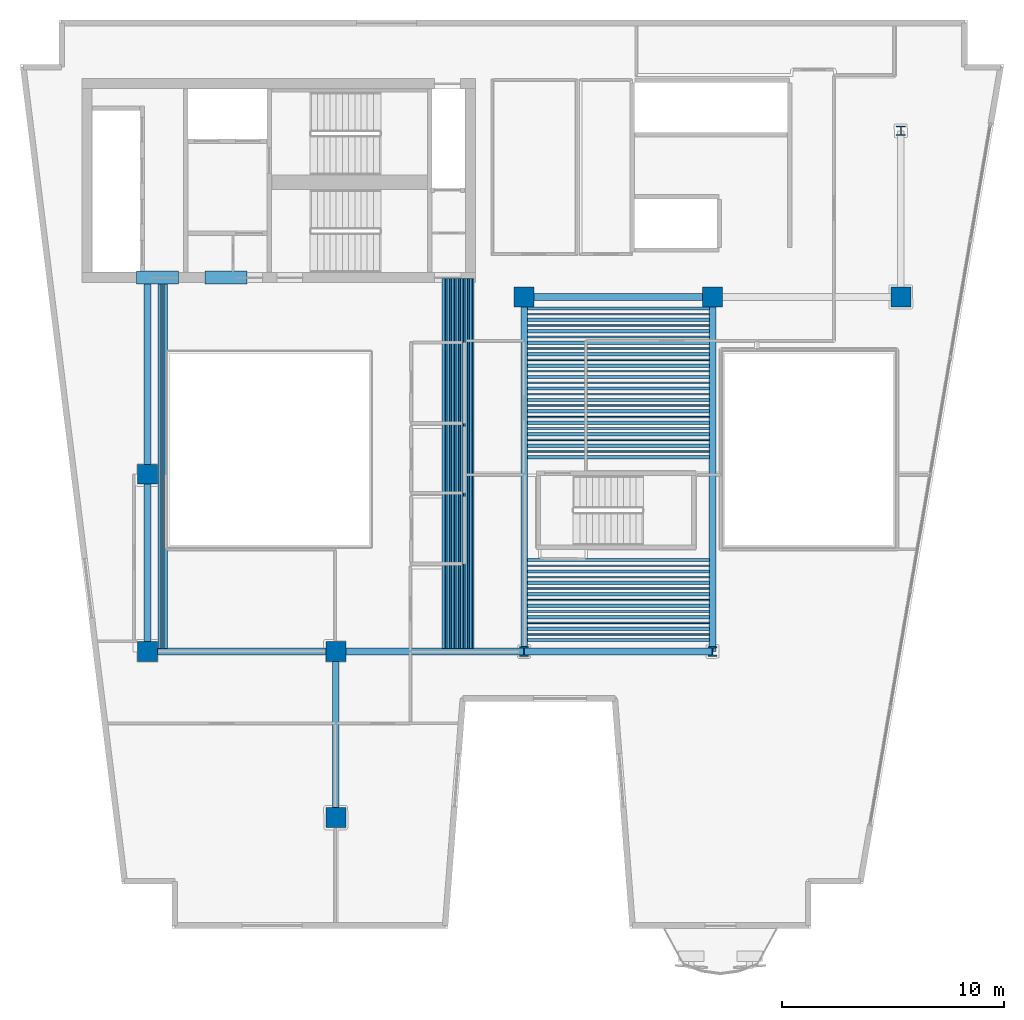
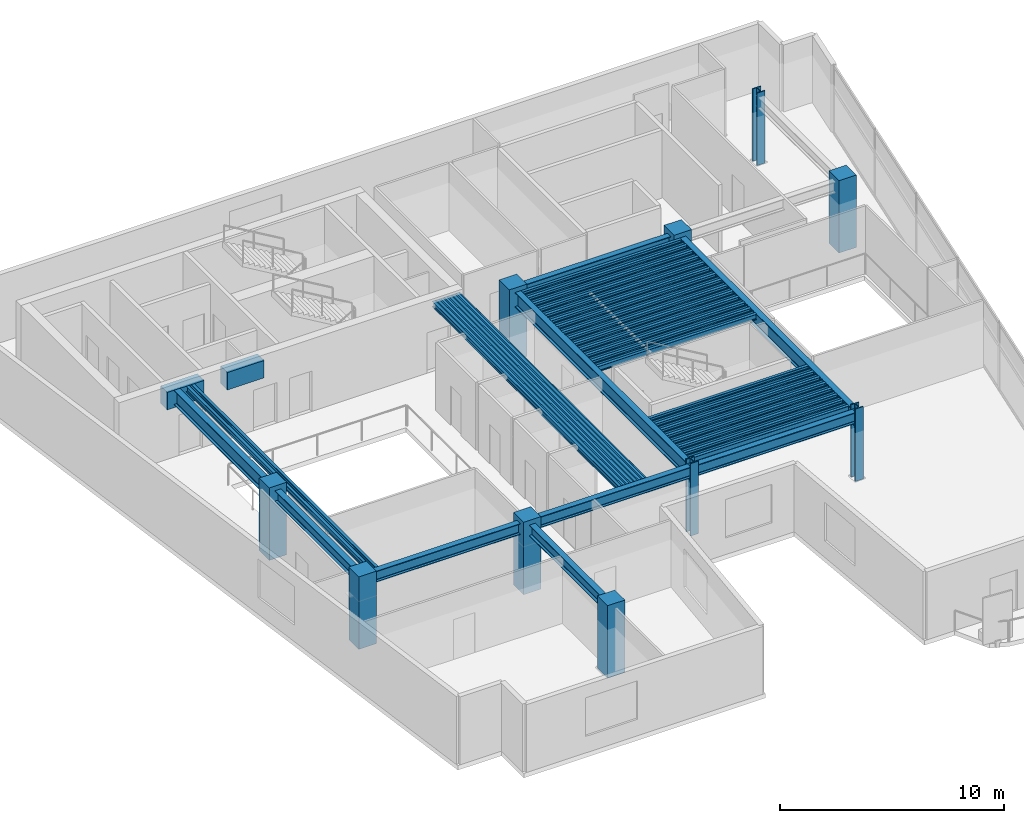
# One storey, part 1 of 10: 70 beams, 10 columns.
"""IFC4 building model written with IfcOpenShell, lengths in metres."""

from ifc_helpers import new_model, si_unit, direction, frame, origin, origin_2d, place, context, subcontext, project, spatial, rectangle, hollow_rectangle, i_section, extrude, material, material_profile, profile_set, type_object, element, save


model = new_model("IFC4")

# Units and contexts
model_context = context("Model", 3, precision=1e-05, world=origin(), true_north=direction((0.0, 1.0)))
body_context = subcontext(model_context, "Body", "Model", "MODEL_VIEW")
ifc_project = project(units=[si_unit("LENGTHUNIT", "METRE"), si_unit("AREAUNIT", "SQUARE_METRE"), si_unit("VOLUMEUNIT", "CUBIC_METRE"), si_unit("PLANEANGLEUNIT", "RADIAN"), si_unit("MASSUNIT", "GRAM", prefix="KILO")], contexts=[model_context])

# Site, building, storey
site_placement = place(None, origin())
site = spatial("IfcSite", under=ifc_project, at=site_placement, CompositionType="ELEMENT")
building_placement = place(site_placement, origin())
building = spatial("IfcBuilding", under=site, at=building_placement, Name="Caeloran Harvest Quay", CompositionType="ELEMENT")
storey_placement = place(building_placement, frame((0.0, 0.0, 183.75)))
storey = spatial("IfcBuildingStorey", under=building, at=storey_placement, Name="L43", CompositionType="ELEMENT", Elevation=183.75)

# Columns
ifc_material_1 = material(Name="Concrete C60/75", Category="concrete")
ifc_material_profile_1 = material_profile(ifc_material_1, rectangle(XDim=0.89990234375, YDim=0.89990234375, at=origin_2d()), Name="RC 900x900")
ifc_profile_set_1 = profile_set([ifc_material_profile_1], Name="Concrete C60/75")
column_type_1 = type_object("IfcColumnType", Name="COL-MC-4-RC_900x900", PredefinedType="COLUMN", material=ifc_profile_set_1)
for number, where, z_axis, x_axis, name in (
    (1, (8.5, 15.0, 0.0), (0.0, 0.0, 1.0), (1.0, 0.0, 0.0), "L43 Structural Column (8.5, 15.0)"),
    (2, (8.5, 23.0, 0.0), (0.0, 0.0, 1.0), (1.0, 0.0, 0.0), "L43 Structural Column (8.5, 23.0)"),
    (3, (17.0, 7.5, 0.0), (0.0, 0.0, 1.0), (1.0, 0.0, 0.0), "L43 Structural Column (17.0, 7.5)"),
    (4, (17.0, 15.0, 0.0), (0.0, 0.0, 1.0), (1.0, 0.0, 0.0), "L43 Structural Column (17.0, 15.0)"),
    (5, (25.5, 31.0, 0.0), (0.0, 0.0, 1.0), (1.0, 0.0, 0.0), "L43 Structural Column (25.5, 31.0)"),
    (6, (34.0, 31.0, 0.0), (0.0, 0.0, 1.0), (1.0, 0.0, 0.0), "L43 Structural Column (34.0, 31.0)"),
    (7, (42.5, 31.0, 0.0), (0.0, 0.0, 1.0), (1.0, 0.0, 0.0), "L43 Structural Column (42.5, 31.0)"),
):
    element("IfcColumn", number, at=place(storey_placement, frame(where, z_axis=z_axis, x_axis=x_axis)), inside=storey, type_object=column_type_1, Name=name, PredefinedType="COLUMN", context=body_context, shape_type="SweptSolid", body=[
        extrude(rectangle(XDim=0.89990234375, YDim=0.89990234375, at=origin_2d()), origin(), (0.0, 0.0, 1.0), 3.949951171875),
    ])
ifc_material_2 = material(Name="Steel HISTAR 460", Category="steel")
ifc_material_profile_2 = material_profile(ifc_material_2, i_section(OverallWidth=0.416015625, OverallDepth=0.446044921875, WebThickness=0.0390625, FlangeThickness=0.062744140625, FilletRadius=0.014892578125, at=origin_2d()), Name="HD 400x509")
ifc_profile_set_2 = profile_set([ifc_material_profile_2], Name="Steel HISTAR 460")
column_type_2 = type_object("IfcColumnType", Name="COL-SC-4-HD_400x509", PredefinedType="COLUMN", material=ifc_profile_set_2)
for number, where, z_axis, x_axis, name in (
    (8, (25.5, 15.0, 0.0), (0.0, 0.0, 1.0), (1.0, 0.0, 0.0), "L43 Structural Column (25.5, 15.0)"),
    (9, (34.0, 15.0, 0.0), (0.0, 0.0, 1.0), (1.0, 0.0, 0.0), "L43 Structural Column (34.0, 15.0)"),
    (10, (42.5, 38.5, 0.0), (0.0, 0.0, 1.0), (1.0, 0.0, 0.0), "L43 Structural Column (42.5, 38.5)"),
):
    element("IfcColumn", number, at=place(storey_placement, frame(where, z_axis=z_axis, x_axis=x_axis)), inside=storey, type_object=column_type_2, Name=name, PredefinedType="COLUMN", context=body_context, shape_type="SweptSolid", body=[
        extrude(i_section(OverallWidth=0.416015625, OverallDepth=0.446044921875, WebThickness=0.0390625, FlangeThickness=0.062744140625, FilletRadius=0.014892578125, at=origin_2d()), origin(), (0.0, 0.0, 1.0), 3.949951171875),
    ])

# Beams
ifc_material_profile_3 = material_profile(ifc_material_1, rectangle(XDim=0.60009765625, YDim=0.949951171875, at=origin_2d()), Name="RC 600x950")
ifc_profile_set_3 = profile_set([ifc_material_profile_3], Name="Concrete C60/75")
beam_type_1 = type_object("IfcBeamType", Name="BM-CB-2-RC_600x950", PredefinedType="LINTEL", material=ifc_profile_set_3)
for number, where, z_axis, x_axis, name in (
    (11, (8.0, 31.875, 3.22509765625), (1.0, 0.0, 0.0), (0.0, 1.0, 0.0), "L43 Core Coupling Beam 1"),
    (12, (11.10009765625, 31.875, 3.22509765625), (1.0, 0.0, 0.0), (0.0, 1.0, 0.0), "L43 Core Coupling Beam 2"),
):
    element("IfcBeam", number, at=place(storey_placement, frame(where, z_axis=z_axis, x_axis=x_axis)), inside=storey, type_object=beam_type_1, Name=name, PredefinedType="LINTEL", context=body_context, shape_type="SweptSolid", body=[
        extrude(rectangle(XDim=0.60009765625, YDim=0.949951171875, at=origin_2d()), origin(), (0.0, 0.0, 1.0), 1.89990234375),
    ])
ifc_material_3 = material(Name="Steel S355J2", Category="steel")
ifc_material_profile_4 = material_profile(ifc_material_3, i_section(OverallWidth=0.300048828125, OverallDepth=0.800048828125, WebThickness=0.017578125, FlangeThickness=0.032958984375, FilletRadius=0.030029296875, at=origin_2d()), Name="HE 800 B")
ifc_profile_set_4 = profile_set([ifc_material_profile_4], Name="Steel S355J2")
beam_type_2 = type_object("IfcBeamType", Name="BM-PG-1-HE_800_B", PredefinedType="BEAM", material=ifc_profile_set_4)
beam_1_placement = place(storey_placement, frame((8.5, 23.0, 3.300048828125), z_axis=(0.0, 1.0, 0.0), x_axis=(-1.0, 0.0, 0.0)))
element("IfcBeam", 13, at=beam_1_placement, inside=storey, type_object=beam_type_2, Name="L43 Core South Tie Girder X=8.5", PredefinedType="BEAM", context=body_context, shape_type="SweptSolid", body=[
    extrude(i_section(OverallWidth=0.300048828125, OverallDepth=0.800048828125, WebThickness=0.017578125, FlangeThickness=0.032958984375, FilletRadius=0.030029296875, at=origin_2d()), origin(), (0.0, 0.0, 1.0), 8.824951171875),
])
for number, where, z_axis, x_axis, name in (
    (14, (25.5, 15.0, 3.300048828125), (0.0, 1.0, 0.0), (-1.0, 0.0, 0.0), "L43 Primary North-South Girder X=25.5"),
    (15, (34.0, 15.0, 3.300048828125), (0.0, 1.0, 0.0), (-1.0, 0.0, 0.0), "L43 Primary North-South Girder X=34.0"),
):
    element("IfcBeam", number, at=place(storey_placement, frame(where, z_axis=z_axis, x_axis=x_axis)), inside=storey, type_object=beam_type_2, Name=name, PredefinedType="BEAM", context=body_context, shape_type="SweptSolid", body=[
        extrude(i_section(OverallWidth=0.300048828125, OverallDepth=0.800048828125, WebThickness=0.017578125, FlangeThickness=0.032958984375, FilletRadius=0.030029296875, at=origin_2d()), origin(), (0.0, 0.0, 1.0), 16.0),
    ])
ifc_material_profile_5 = material_profile(ifc_material_3, i_section(OverallWidth=0.300048828125, OverallDepth=0.60009765625, WebThickness=0.015380859375, FlangeThickness=0.030029296875, FilletRadius=0.027099609375, at=origin_2d()), Name="HE 600 B")
ifc_profile_set_5 = profile_set([ifc_material_profile_5], Name="Steel S355J2")
beam_type_3 = type_object("IfcBeamType", Name="BM-PG-3-HE_600_B", PredefinedType="BEAM", material=ifc_profile_set_5)
for number, where, z_axis, x_axis, name in (
    (16, (8.5, 15.0, 3.39990234375), (1.0, 0.0, 0.0), (0.0, 1.0, 0.0), "L43 Primary East-West Girder Y=15.0"),
    (17, (17.0, 15.0, 3.39990234375), (1.0, 0.0, 0.0), (0.0, 1.0, 0.0), "L43 Primary East-West Girder Y=15.0"),
    (18, (25.5, 15.0, 3.39990234375), (1.0, 0.0, 0.0), (0.0, 1.0, 0.0), "L43 Primary East-West Girder Y=15.0"),
    (19, (25.5, 31.0, 3.39990234375), (1.0, 0.0, 0.0), (0.0, 1.0, 0.0), "L43 Primary East-West Girder Y=31.0"),
):
    element("IfcBeam", number, at=place(storey_placement, frame(where, z_axis=z_axis, x_axis=x_axis)), inside=storey, type_object=beam_type_3, Name=name, PredefinedType="BEAM", context=body_context, shape_type="SweptSolid", body=[
        extrude(i_section(OverallWidth=0.300048828125, OverallDepth=0.60009765625, WebThickness=0.015380859375, FlangeThickness=0.030029296875, FilletRadius=0.027099609375, at=origin_2d()), origin(), (0.0, 0.0, 1.0), 8.5),
    ])
beam_2_placement = place(storey_placement, frame((8.5, 15.0, 3.39990234375), z_axis=(0.0, 1.0, 0.0), x_axis=(-1.0, 0.0, 0.0)))
element("IfcBeam", 20, at=beam_2_placement, inside=storey, type_object=beam_type_3, Name="L43 Primary North-South Girder X=8.5", PredefinedType="BEAM", context=body_context, shape_type="SweptSolid", body=[
    extrude(i_section(OverallWidth=0.300048828125, OverallDepth=0.60009765625, WebThickness=0.015380859375, FlangeThickness=0.030029296875, FilletRadius=0.027099609375, at=origin_2d()), origin(), (0.0, 0.0, 1.0), 8.0),
])
beam_3_placement = place(storey_placement, frame((17.0, 7.5, 3.39990234375), z_axis=(0.0, 1.0, 0.0), x_axis=(-1.0, 0.0, 0.0)))
element("IfcBeam", 21, at=beam_3_placement, inside=storey, type_object=beam_type_3, Name="L43 Primary North-South Girder X=17.0", PredefinedType="BEAM", context=body_context, shape_type="SweptSolid", body=[
    extrude(i_section(OverallWidth=0.300048828125, OverallDepth=0.60009765625, WebThickness=0.015380859375, FlangeThickness=0.030029296875, FilletRadius=0.027099609375, at=origin_2d()), origin(), (0.0, 0.0, 1.0), 7.5),
])
ifc_material_profile_6 = material_profile(ifc_material_3, i_section(OverallWidth=0.14990234375, OverallDepth=0.300048828125, WebThickness=0.007080078125, FlangeThickness=0.0107421875, FilletRadius=0.014892578125, at=origin_2d()), Name="IPE 300")
ifc_profile_set_6 = profile_set([ifc_material_profile_6], Name="Steel S355J2")
beam_type_4 = type_object("IfcBeamType", Name="BM-SB-6-IPE_300", PredefinedType="JOIST", material=ifc_profile_set_6)
for number, where, z_axis, x_axis, name in (
    (22, (9.04833984375, 15.14501953125, 3.550048828125), (0.0, 1.0, 0.0), (-1.0, 0.0, 0.0), "L43 Secondary Composite Joist"),
    (23, (9.322509765625, 15.14501953125, 3.550048828125), (0.0, 1.0, 0.0), (-1.0, 0.0, 0.0), "L43 Secondary Composite Joist"),
    (24, (21.87744140625, 15.14501953125, 3.550048828125), (0.0, 1.0, 0.0), (-1.0, 0.0, 0.0), "L43 Secondary Composite Joist"),
    (25, (22.08056640625, 15.14501953125, 3.550048828125), (0.0, 1.0, 0.0), (-1.0, 0.0, 0.0), "L43 Secondary Composite Joist"),
    (26, (22.283935546875, 15.14501953125, 3.550048828125), (0.0, 1.0, 0.0), (-1.0, 0.0, 0.0), "L43 Secondary Composite Joist"),
    (27, (22.487060546875, 15.14501953125, 3.550048828125), (0.0, 1.0, 0.0), (-1.0, 0.0, 0.0), "L43 Secondary Composite Joist"),
    (28, (22.690185546875, 15.14501953125, 3.550048828125), (0.0, 1.0, 0.0), (-1.0, 0.0, 0.0), "L43 Secondary Composite Joist"),
    (29, (22.8935546875, 15.14501953125, 3.550048828125), (0.0, 1.0, 0.0), (-1.0, 0.0, 0.0), "L43 Secondary Composite Joist"),
    (30, (23.0966796875, 15.14501953125, 3.550048828125), (0.0, 1.0, 0.0), (-1.0, 0.0, 0.0), "L43 Secondary Composite Joist"),
):
    element("IfcBeam", number, at=place(storey_placement, frame(where, z_axis=z_axis, x_axis=x_axis)), inside=storey, type_object=beam_type_4, Name=name, PredefinedType="JOIST", context=body_context, shape_type="SweptSolid", body=[
        extrude(i_section(OverallWidth=0.14990234375, OverallDepth=0.300048828125, WebThickness=0.007080078125, FlangeThickness=0.0107421875, FilletRadius=0.014892578125, at=origin_2d()), origin(), (0.0, 0.0, 1.0), 16.679931640625),
    ])
for number, where, z_axis, x_axis, name in (
    (31, (25.64501953125, 15.51611328125, 3.550048828125), (1.0, 0.0, 0.0), (0.0, 1.0, 0.0), "L43 Secondary East-West Composite Joist"),
    (32, (25.64501953125, 16.0322265625, 3.550048828125), (1.0, 0.0, 0.0), (0.0, 1.0, 0.0), "L43 Secondary East-West Composite Joist"),
    (33, (25.64501953125, 16.54833984375, 3.550048828125), (1.0, 0.0, 0.0), (0.0, 1.0, 0.0), "L43 Secondary East-West Composite Joist"),
    (34, (25.64501953125, 17.064453125, 3.550048828125), (1.0, 0.0, 0.0), (0.0, 1.0, 0.0), "L43 Secondary East-West Composite Joist"),
    (35, (25.64501953125, 17.58056640625, 3.550048828125), (1.0, 0.0, 0.0), (0.0, 1.0, 0.0), "L43 Secondary East-West Composite Joist"),
    (36, (25.64501953125, 18.0966796875, 3.550048828125), (1.0, 0.0, 0.0), (0.0, 1.0, 0.0), "L43 Secondary East-West Composite Joist"),
    (37, (25.64501953125, 18.61279296875, 3.550048828125), (1.0, 0.0, 0.0), (0.0, 1.0, 0.0), "L43 Secondary East-West Composite Joist"),
    (38, (25.64501953125, 19.12890625, 3.550048828125), (1.0, 0.0, 0.0), (0.0, 1.0, 0.0), "L43 Secondary East-West Composite Joist"),
    (39, (25.64501953125, 23.774169921875, 3.550048828125), (1.0, 0.0, 0.0), (0.0, 1.0, 0.0), "L43 Secondary East-West Composite Joist"),
    (40, (25.64501953125, 24.290283203125, 3.550048828125), (1.0, 0.0, 0.0), (0.0, 1.0, 0.0), "L43 Secondary East-West Composite Joist"),
    (41, (25.64501953125, 24.806396484375, 3.550048828125), (1.0, 0.0, 0.0), (0.0, 1.0, 0.0), "L43 Secondary East-West Composite Joist"),
    (42, (25.64501953125, 25.322509765625, 3.550048828125), (1.0, 0.0, 0.0), (0.0, 1.0, 0.0), "L43 Secondary East-West Composite Joist"),
    (43, (25.64501953125, 25.838623046875, 3.550048828125), (1.0, 0.0, 0.0), (0.0, 1.0, 0.0), "L43 Secondary East-West Composite Joist"),
    (44, (25.64501953125, 26.354736328125, 3.550048828125), (1.0, 0.0, 0.0), (0.0, 1.0, 0.0), "L43 Secondary East-West Composite Joist"),
    (45, (25.64501953125, 26.87109375, 3.550048828125), (1.0, 0.0, 0.0), (0.0, 1.0, 0.0), "L43 Secondary East-West Composite Joist"),
    (46, (25.64501953125, 27.38720703125, 3.550048828125), (1.0, 0.0, 0.0), (0.0, 1.0, 0.0), "L43 Secondary East-West Composite Joist"),
    (47, (25.64501953125, 27.9033203125, 3.550048828125), (1.0, 0.0, 0.0), (0.0, 1.0, 0.0), "L43 Secondary East-West Composite Joist"),
    (48, (25.64501953125, 28.41943359375, 3.550048828125), (1.0, 0.0, 0.0), (0.0, 1.0, 0.0), "L43 Secondary East-West Composite Joist"),
    (49, (25.64501953125, 28.935546875, 3.550048828125), (1.0, 0.0, 0.0), (0.0, 1.0, 0.0), "L43 Secondary East-West Composite Joist"),
    (50, (25.64501953125, 29.45166015625, 3.550048828125), (1.0, 0.0, 0.0), (0.0, 1.0, 0.0), "L43 Secondary East-West Composite Joist"),
    (51, (25.64501953125, 29.9677734375, 3.550048828125), (1.0, 0.0, 0.0), (0.0, 1.0, 0.0), "L43 Secondary East-West Composite Joist"),
    (52, (25.64501953125, 30.48388671875, 3.550048828125), (1.0, 0.0, 0.0), (0.0, 1.0, 0.0), "L43 Secondary East-West Composite Joist"),
):
    element("IfcBeam", number, at=place(storey_placement, frame(where, z_axis=z_axis, x_axis=x_axis)), inside=storey, type_object=beam_type_4, Name=name, PredefinedType="JOIST", context=body_context, shape_type="SweptSolid", body=[
        extrude(i_section(OverallWidth=0.14990234375, OverallDepth=0.300048828125, WebThickness=0.007080078125, FlangeThickness=0.0107421875, FilletRadius=0.014892578125, at=origin_2d()), origin(), (0.0, 0.0, 1.0), 8.2099609375),
    ])
ifc_material_profile_7 = material_profile(ifc_material_3, hollow_rectangle(XDim=0.080078125, YDim=0.199951171875, WallThickness=0.006103515625, InnerFilletRadius=0.006103515625, OuterFilletRadius=0.009033203125, at=origin_2d()), Name="RHS 200x80x6")
ifc_profile_set_7 = profile_set([ifc_material_profile_7], Name="Steel S355J2")
beam_type_5 = type_object("IfcBeamType", Name="BM-SB-7-RHS_200x80x6", PredefinedType="JOIST", material=ifc_profile_set_7)
for number, where, z_axis, x_axis, name in (
    (53, (9.185546875, 15.14501953125, 3.60009765625), (0.0, 1.0, 0.0), (-1.0, 0.0, 0.0), "L43 Secondary Composite Joist"),
    (54, (21.97900390625, 15.14501953125, 3.60009765625), (0.0, 1.0, 0.0), (-1.0, 0.0, 0.0), "L43 Secondary Composite Joist"),
    (55, (22.182373046875, 15.14501953125, 3.60009765625), (0.0, 1.0, 0.0), (-1.0, 0.0, 0.0), "L43 Secondary Composite Joist"),
    (56, (22.385498046875, 15.14501953125, 3.60009765625), (0.0, 1.0, 0.0), (-1.0, 0.0, 0.0), "L43 Secondary Composite Joist"),
    (57, (22.588623046875, 15.14501953125, 3.60009765625), (0.0, 1.0, 0.0), (-1.0, 0.0, 0.0), "L43 Secondary Composite Joist"),
    (58, (22.7919921875, 15.14501953125, 3.60009765625), (0.0, 1.0, 0.0), (-1.0, 0.0, 0.0), "L43 Secondary Composite Joist"),
    (59, (22.9951171875, 15.14501953125, 3.60009765625), (0.0, 1.0, 0.0), (-1.0, 0.0, 0.0), "L43 Secondary Composite Joist"),
    (60, (23.198486328125, 15.14501953125, 3.60009765625), (0.0, 1.0, 0.0), (-1.0, 0.0, 0.0), "L43 Secondary Composite Joist"),
):
    element("IfcBeam", number, at=place(storey_placement, frame(where, z_axis=z_axis, x_axis=x_axis)), inside=storey, type_object=beam_type_5, Name=name, PredefinedType="JOIST", context=body_context, shape_type="SweptSolid", body=[
        extrude(hollow_rectangle(XDim=0.080078125, YDim=0.199951171875, WallThickness=0.006103515625, InnerFilletRadius=0.006103515625, OuterFilletRadius=0.009033203125, at=origin_2d()), origin(), (0.0, 0.0, 1.0), 16.679931640625),
    ])
for number, where, z_axis, x_axis, name in (
    (61, (25.64501953125, 15.774169921875, 3.60009765625), (1.0, 0.0, 0.0), (0.0, 1.0, 0.0), "L43 Secondary East-West Composite Joist"),
    (62, (25.64501953125, 16.290283203125, 3.60009765625), (1.0, 0.0, 0.0), (0.0, 1.0, 0.0), "L43 Secondary East-West Composite Joist"),
    (63, (25.64501953125, 16.806396484375, 3.60009765625), (1.0, 0.0, 0.0), (0.0, 1.0, 0.0), "L43 Secondary East-West Composite Joist"),
    (64, (25.64501953125, 17.322509765625, 3.60009765625), (1.0, 0.0, 0.0), (0.0, 1.0, 0.0), "L43 Secondary East-West Composite Joist"),
    (65, (25.64501953125, 17.838623046875, 3.60009765625), (1.0, 0.0, 0.0), (0.0, 1.0, 0.0), "L43 Secondary East-West Composite Joist"),
    (66, (25.64501953125, 18.354736328125, 3.60009765625), (1.0, 0.0, 0.0), (0.0, 1.0, 0.0), "L43 Secondary East-West Composite Joist"),
    (67, (25.64501953125, 18.87109375, 3.60009765625), (1.0, 0.0, 0.0), (0.0, 1.0, 0.0), "L43 Secondary East-West Composite Joist"),
    (68, (25.64501953125, 24.0322265625, 3.60009765625), (1.0, 0.0, 0.0), (0.0, 1.0, 0.0), "L43 Secondary East-West Composite Joist"),
    (69, (25.64501953125, 24.54833984375, 3.60009765625), (1.0, 0.0, 0.0), (0.0, 1.0, 0.0), "L43 Secondary East-West Composite Joist"),
    (70, (25.64501953125, 25.064453125, 3.60009765625), (1.0, 0.0, 0.0), (0.0, 1.0, 0.0), "L43 Secondary East-West Composite Joist"),
    (71, (25.64501953125, 25.58056640625, 3.60009765625), (1.0, 0.0, 0.0), (0.0, 1.0, 0.0), "L43 Secondary East-West Composite Joist"),
    (72, (25.64501953125, 26.0966796875, 3.60009765625), (1.0, 0.0, 0.0), (0.0, 1.0, 0.0), "L43 Secondary East-West Composite Joist"),
    (73, (25.64501953125, 26.61279296875, 3.60009765625), (1.0, 0.0, 0.0), (0.0, 1.0, 0.0), "L43 Secondary East-West Composite Joist"),
    (74, (25.64501953125, 27.12890625, 3.60009765625), (1.0, 0.0, 0.0), (0.0, 1.0, 0.0), "L43 Secondary East-West Composite Joist"),
    (75, (25.64501953125, 27.645263671875, 3.60009765625), (1.0, 0.0, 0.0), (0.0, 1.0, 0.0), "L43 Secondary East-West Composite Joist"),
    (76, (25.64501953125, 28.161376953125, 3.60009765625), (1.0, 0.0, 0.0), (0.0, 1.0, 0.0), "L43 Secondary East-West Composite Joist"),
    (77, (25.64501953125, 28.677490234375, 3.60009765625), (1.0, 0.0, 0.0), (0.0, 1.0, 0.0), "L43 Secondary East-West Composite Joist"),
    (78, (25.64501953125, 29.193603515625, 3.60009765625), (1.0, 0.0, 0.0), (0.0, 1.0, 0.0), "L43 Secondary East-West Composite Joist"),
    (79, (25.64501953125, 29.709716796875, 3.60009765625), (1.0, 0.0, 0.0), (0.0, 1.0, 0.0), "L43 Secondary East-West Composite Joist"),
    (80, (25.64501953125, 30.225830078125, 3.60009765625), (1.0, 0.0, 0.0), (0.0, 1.0, 0.0), "L43 Secondary East-West Composite Joist"),
):
    element("IfcBeam", number, at=place(storey_placement, frame(where, z_axis=z_axis, x_axis=x_axis)), inside=storey, type_object=beam_type_5, Name=name, PredefinedType="JOIST", context=body_context, shape_type="SweptSolid", body=[
        extrude(hollow_rectangle(XDim=0.080078125, YDim=0.199951171875, WallThickness=0.006103515625, InnerFilletRadius=0.006103515625, OuterFilletRadius=0.009033203125, at=origin_2d()), origin(), (0.0, 0.0, 1.0), 8.2099609375),
    ])

save(model, "model.ifc")
